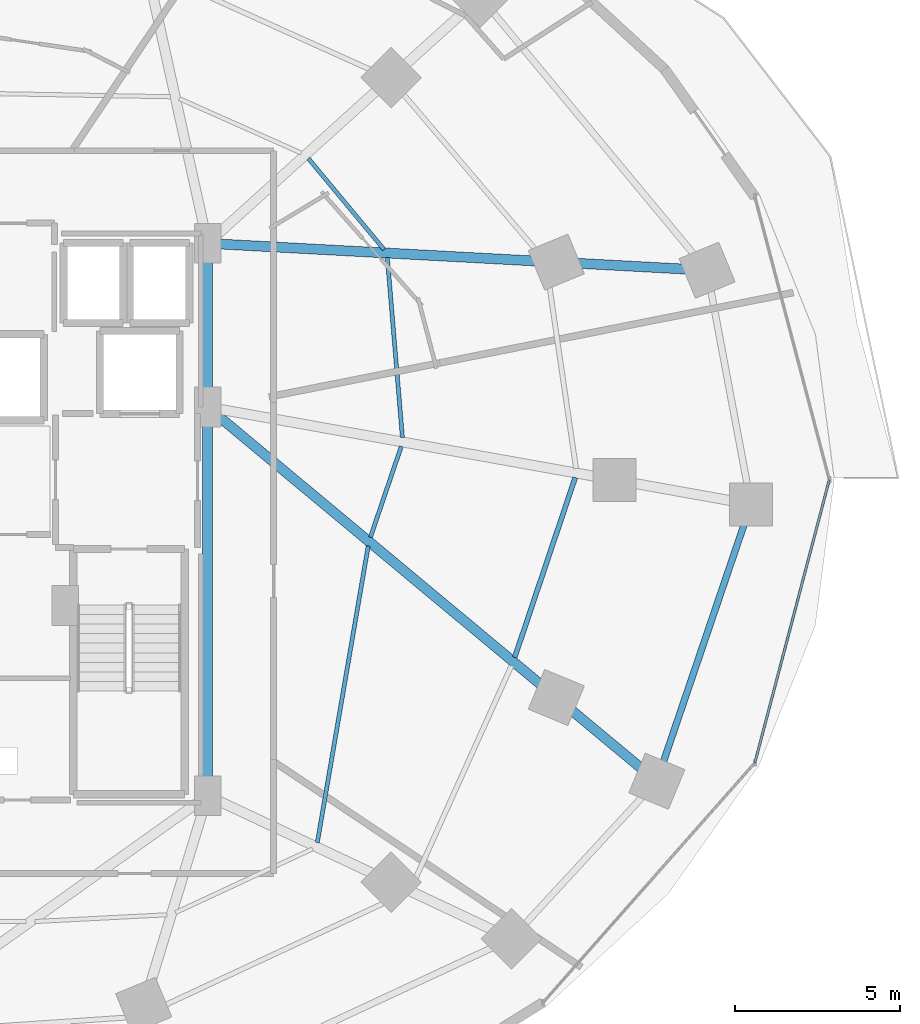
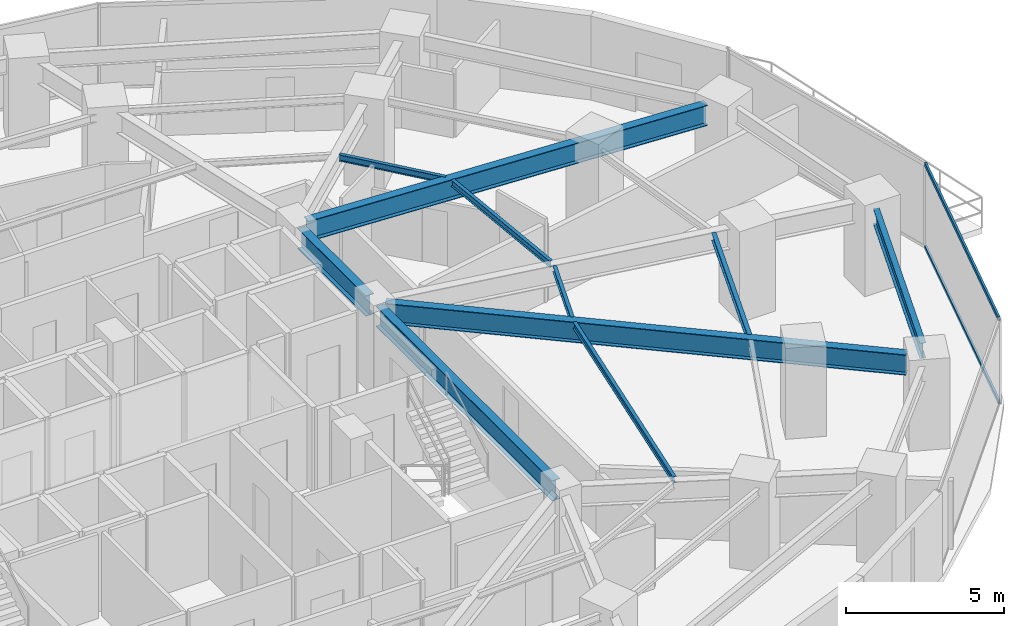
# One storey, part 12 of 30: 10 beams, 2 members, 1 element without a shape of its own.
"""IFC4 building model written with IfcOpenShell, lengths in metres."""

from ifc_helpers import new_model, si_unit, direction, frame, origin, origin_2d, place, context, subcontext, project, spatial, hollow_rectangle, i_section, extrude, material, material_profile, profile_set, type_object, element, aggregate, save


model = new_model("IFC4")

# Units and contexts
model_context = context("Model", 3, precision=1e-05, world=origin(), true_north=direction((0.0, 1.0)))
body_context = subcontext(model_context, "Body", "Model", "MODEL_VIEW")
ifc_project = project(units=[si_unit("LENGTHUNIT", "METRE"), si_unit("AREAUNIT", "SQUARE_METRE"), si_unit("VOLUMEUNIT", "CUBIC_METRE"), si_unit("PLANEANGLEUNIT", "RADIAN"), si_unit("MASSUNIT", "GRAM", prefix="KILO")], contexts=[model_context])

# Site, building, storey
site_placement = place(None, origin())
site = spatial("IfcSite", under=ifc_project, at=site_placement, CompositionType="ELEMENT")
building_placement = place(site_placement, origin())
building = spatial("IfcBuilding", under=site, at=building_placement, Name="Vorneva Point Tower", CompositionType="ELEMENT")
storey_placement = place(building_placement, frame((0.0, 0.0, 41.5)))
storey = spatial("IfcBuildingStorey", under=building, at=storey_placement, Name="L10", CompositionType="ELEMENT", Elevation=41.5)

# Beams
ifc_material_1 = material(Name="Steel S355", Category="steel")
ifc_material_profile_1 = material_profile(ifc_material_1, i_section(OverallWidth=0.300048828125, OverallDepth=0.7880859375, WebThickness=0.014404296875, FlangeThickness=0.02197265625, at=origin_2d()), Name="80Sh1")
ifc_profile_set_1 = profile_set([ifc_material_profile_1], Name="Steel S355")
beam_type_1 = type_object("IfcBeamType", Name="BM-GRD-80Sh1", PredefinedType="USERDEFINED", material=ifc_profile_set_1)
beam_1_placement = place(storey_placement, frame((63.21728515625, 32.37109375, 2.845947265625), z_axis=(-0.998554288689, 0.053752511954, 0.0), x_axis=(-0.053752511954, -0.998554288689, 0.0)))
element("IfcBeam", 1, at=beam_1_placement, inside=storey, type_object=beam_type_1, Name="L10 Radial Primary Girder 02", ObjectType="GIRDER", PredefinedType="USERDEFINED", context=body_context, shape_type="SweptSolid", body=[
    extrude(i_section(OverallWidth=0.300048828125, OverallDepth=0.7880859375, WebThickness=0.014404296875, FlangeThickness=0.02197265625, at=origin_2d()), origin(), (0.0, 0.0, 1.0), 14.148193359375),
])
beam_2_placement = place(storey_placement, frame((61.844482421875, 17.294921875, 2.845947265625), z_axis=(-0.76842374394, 0.639941364306, 0.0), x_axis=(-0.639941364306, -0.76842374394, 0.0)))
element("IfcBeam", 2, at=beam_2_placement, inside=storey, type_object=beam_type_1, Name="L10 Radial Primary Girder 16", ObjectType="GIRDER", PredefinedType="USERDEFINED", context=body_context, shape_type="SweptSolid", body=[
    extrude(i_section(OverallWidth=0.300048828125, OverallDepth=0.7880859375, WebThickness=0.014404296875, FlangeThickness=0.02197265625, at=origin_2d()), origin(), (0.0, 0.0, 1.0), 16.70068359375),
])
beam_3_placement = place(storey_placement, frame((48.75, 16.77001953125, 2.845947265625), z_axis=(0.0, 1.0, 0.0), x_axis=(-1.0, 0.0, 0.0)))
element("IfcBeam", 3, at=beam_3_placement, inside=storey, type_object=beam_type_1, Name="L10 Core Tie Girder CT3", ObjectType="GIRDER", PredefinedType="USERDEFINED", context=body_context, shape_type="SweptSolid", body=[
    extrude(i_section(OverallWidth=0.300048828125, OverallDepth=0.7880859375, WebThickness=0.014404296875, FlangeThickness=0.02197265625, at=origin_2d()), origin(), (0.0, 0.0, 1.0), 11.10986328125),
])
beam_4_placement = place(storey_placement, frame((48.75, 28.52001953125, 2.845947265625), z_axis=(0.0, 1.0, 0.0), x_axis=(-1.0, 0.0, 0.0)))
element("IfcBeam", 4, at=beam_4_placement, inside=storey, type_object=beam_type_1, Name="L10 Core Tie Girder CT4", ObjectType="GIRDER", PredefinedType="USERDEFINED", context=body_context, shape_type="SweptSolid", body=[
    extrude(i_section(OverallWidth=0.300048828125, OverallDepth=0.7880859375, WebThickness=0.014404296875, FlangeThickness=0.02197265625, at=origin_2d()), origin(), (0.0, 0.0, 1.0), 4.31005859375),
])
ifc_material_profile_2 = material_profile(ifc_material_1, i_section(OverallWidth=0.1240234375, OverallDepth=0.248046875, WebThickness=0.0048828125, FlangeThickness=0.008056640625, at=origin_2d()), Name="25B1")
ifc_profile_set_2 = profile_set([ifc_material_profile_2], Name="Steel S355")
beam_type_2 = type_object("IfcBeamType", Name="BM-JST-25B1", PredefinedType="JOIST", material=ifc_profile_set_2)
beam_5_placement = place(storey_placement, frame((54.64208984375, 27.281494140625, 3.115966796875), z_axis=(-0.083382361072, 0.996517627472, 0.0), x_axis=(-0.996517627472, -0.083382361072, 0.0)))
element("IfcBeam", 5, at=beam_5_placement, inside=storey, type_object=beam_type_2, Name="L10 Secondary Floor Beam 2.01", PredefinedType="JOIST", context=body_context, shape_type="SweptSolid", body=[
    extrude(i_section(OverallWidth=0.1240234375, OverallDepth=0.248046875, WebThickness=0.0048828125, FlangeThickness=0.008056640625, at=origin_2d()), origin(), (0.0, 0.0, 1.0), 5.457763671875),
])
beam_6_placement = place(storey_placement, frame((54.08740234375, 32.964111328125, 3.115966796875), z_axis=(-0.639251768182, 0.76899751422, 0.0), x_axis=(-0.76899751422, -0.639251768182, 0.0)))
element("IfcBeam", 6, at=beam_6_placement, inside=storey, type_object=beam_type_2, Name="L10 Secondary Floor Beam 2.02", PredefinedType="JOIST", context=body_context, shape_type="SweptSolid", body=[
    extrude(i_section(OverallWidth=0.1240234375, OverallDepth=0.248046875, WebThickness=0.0048828125, FlangeThickness=0.008056640625, at=origin_2d()), origin(), (0.0, 0.0, 1.0), 3.580810546875),
])
beam_7_placement = place(storey_placement, frame((52.0703125, 15.033935546875, 3.115966796875), z_axis=(0.16904576421, 0.985608202889, 0.0), x_axis=(-0.985608202889, 0.16904576421, 0.0)))
element("IfcBeam", 7, at=beam_7_placement, inside=storey, type_object=beam_type_2, Name="L10 Secondary Floor Beam 2.15", PredefinedType="JOIST", context=body_context, shape_type="SweptSolid", body=[
    extrude(i_section(OverallWidth=0.1240234375, OverallDepth=0.248046875, WebThickness=0.0048828125, FlangeThickness=0.008056640625, at=origin_2d()), origin(), (0.0, 0.0, 1.0), 9.095703125),
])
beam_8_placement = place(storey_placement, frame((53.67578125, 24.265380859375, 3.115966796875), z_axis=(0.321673498542, 0.94685065366, 0.0), x_axis=(-0.94685065366, 0.321673498542, 0.0)))
element("IfcBeam", 8, at=beam_8_placement, inside=storey, type_object=beam_type_2, Name="L10 Secondary Floor Beam 2.16", PredefinedType="JOIST", context=body_context, shape_type="SweptSolid", body=[
    extrude(i_section(OverallWidth=0.1240234375, OverallDepth=0.248046875, WebThickness=0.0048828125, FlangeThickness=0.008056640625, at=origin_2d()), origin(), (0.0, 0.0, 1.0), 2.90234375),
])
ifc_material_profile_3 = material_profile(ifc_material_1, i_section(OverallWidth=0.14892578125, OverallDepth=0.298095703125, WebThickness=0.005615234375, FlangeThickness=0.008056640625, at=origin_2d()), Name="30B1")
ifc_profile_set_3 = profile_set([ifc_material_profile_3], Name="Steel S355")
beam_type_3 = type_object("IfcBeamType", Name="BM-JST-30B1", PredefinedType="JOIST", material=ifc_profile_set_3)
beam_9_placement = place(storey_placement, frame((58.03857421875, 20.6318359375, 3.091064453125), z_axis=(0.318931379391, 0.947777809004, 0.0), x_axis=(-0.947777809004, 0.318931379391, 0.0)))
element("IfcBeam", 9, at=beam_9_placement, inside=storey, type_object=beam_type_3, Name="L10 Secondary Floor Beam 1.16", PredefinedType="JOIST", context=body_context, shape_type="SweptSolid", body=[
    extrude(i_section(OverallWidth=0.14892578125, OverallDepth=0.298095703125, WebThickness=0.005615234375, FlangeThickness=0.008056640625, at=origin_2d()), origin(), (0.0, 0.0, 1.0), 5.740478515625),
])
ifc_material_profile_4 = material_profile(ifc_material_1, i_section(OverallWidth=0.198974609375, OverallDepth=0.595947265625, WebThickness=0.010009765625, FlangeThickness=0.014892578125, at=origin_2d()), Name="60B1")
ifc_profile_set_4 = profile_set([ifc_material_profile_4], Name="Steel S355")
beam_type_4 = type_object("IfcBeamType", Name="BM-SPN-60B1", PredefinedType="SPANDREL", material=ifc_profile_set_4)
beam_10_placement = place(storey_placement, frame((62.539306640625, 17.48779296875, 2.94189453125), z_axis=(0.321907355596, 0.946771173206, 0.0), x_axis=(-0.946771173206, 0.321907355596, 0.0)))
element("IfcBeam", 10, at=beam_10_placement, inside=storey, type_object=beam_type_4, Name="L10 Perimeter Spandrel Ring Beam 16", PredefinedType="SPANDREL", context=body_context, shape_type="SweptSolid", body=[
    extrude(i_section(OverallWidth=0.198974609375, OverallDepth=0.595947265625, WebThickness=0.010009765625, FlangeThickness=0.014892578125, at=origin_2d()), origin(), (0.0, 0.0, 1.0), 7.5751953125),
])

# Curtain wall, members
ifc_material_2 = material(Name="Pale anodised aluminium", Category="aluminium")
curtain_wall_type = type_object("IfcCurtainWallType", Name="CW-HTL-SYS", PredefinedType="NOTDEFINED", material=ifc_material_2)
curtain_wall_placement = place(storey_placement, origin())
curtain_wall = element("IfcCurtainWall", 11, at=curtain_wall_placement, inside=storey, type_object=curtain_wall_type, Name="L10 Unitised Curtain Wall CW-L10-R01", PredefinedType="NOTDEFINED")
ifc_material_profile_5 = material_profile(ifc_material_2, hollow_rectangle(XDim=0.074951171875, YDim=0.14990234375, WallThickness=0.00390625, at=origin_2d()), Name="AL-TRN 150x75x4")
ifc_profile_set_5 = profile_set([ifc_material_profile_5], Name="Pale anodised aluminium")
member_type = type_object("IfcMemberType", Name="CW-TRN-150", PredefinedType="USERDEFINED", material=ifc_profile_set_5)
member_1_placement = place(storey_placement, frame((65.300537109375, 17.447021484375, 0.02001953125), z_axis=(0.254358772746, 0.967109928978, 0.0), x_axis=(-0.967109928978, 0.254358772746, 0.0)))
member_1 = element("IfcMember", 12, at=member_1_placement, type_object=member_type, Name="CW-L10-R01 Transom 02.1", ObjectType="TRANSOM", PredefinedType="USERDEFINED", context=body_context, shape_type="SweptSolid", body=[
    extrude(hollow_rectangle(XDim=0.074951171875, YDim=0.14990234375, WallThickness=0.00390625, at=origin_2d()), origin(), (0.0, 0.0, 1.0), 8.84375),
])
member_2_placement = place(storey_placement, frame((65.300537109375, 17.447021484375, 3.219970703125), z_axis=(0.254358772746, 0.967109928978, 0.0), x_axis=(-0.967109928978, 0.254358772746, 0.0)))
member_2 = element("IfcMember", 13, at=member_2_placement, type_object=member_type, Name="CW-L10-R01 Transom 02.2", ObjectType="TRANSOM", PredefinedType="USERDEFINED", context=body_context, shape_type="SweptSolid", body=[
    extrude(hollow_rectangle(XDim=0.074951171875, YDim=0.14990234375, WallThickness=0.00390625, at=origin_2d()), origin(), (0.0, 0.0, 1.0), 8.84375),
])
aggregate(curtain_wall, [member_1, member_2])

save(model, "model.ifc")
